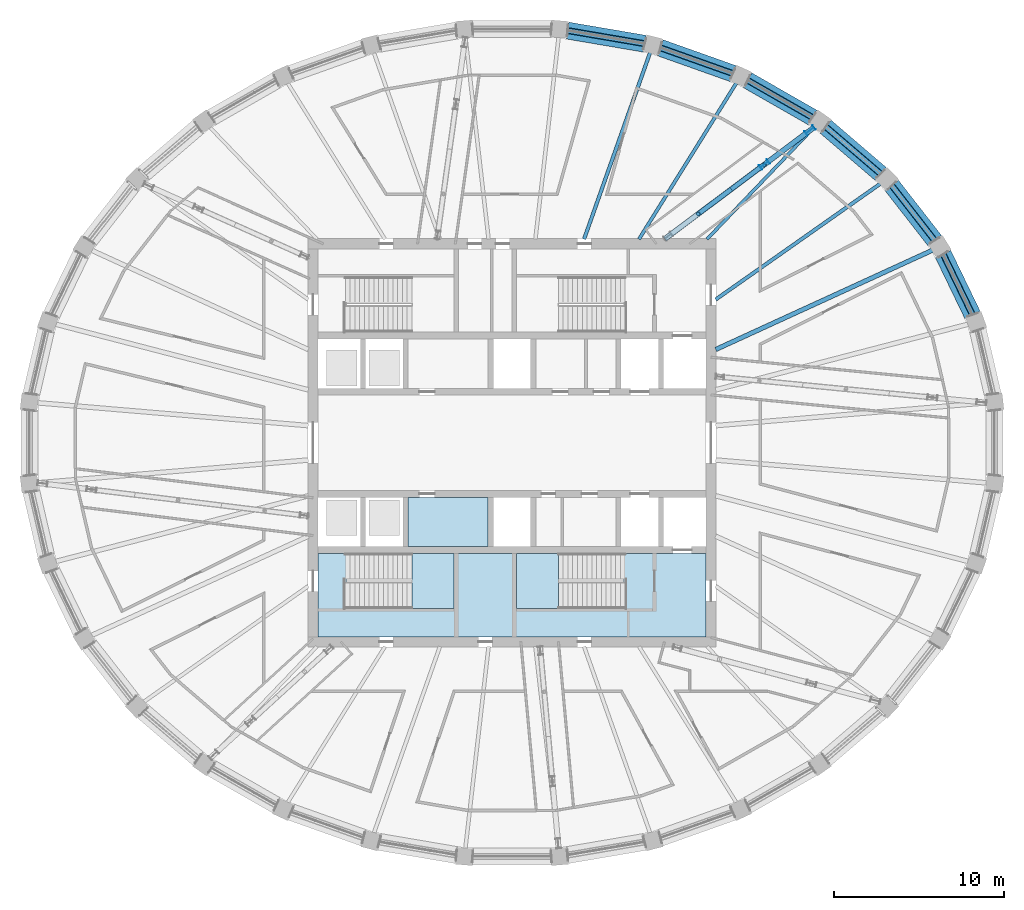
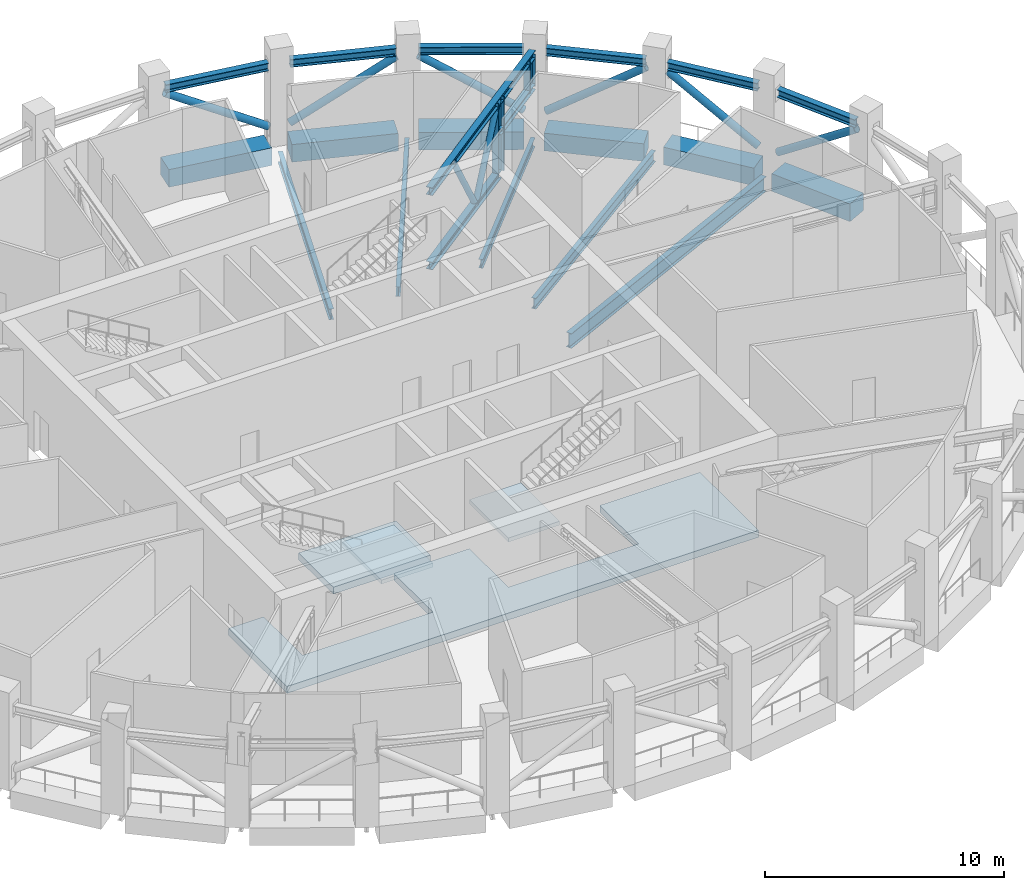
# One storey, part 6 of 20: 19 members, 11 beams, 4 slabs, 2 elements without a shape of their own.
"""IFC4 building model written with IfcOpenShell, lengths in metres."""

from ifc_helpers import new_model, si_unit, direction, frame, origin, origin_2d, place, context, subcontext, project, spatial, polyline, rectangle, hollow_circle, i_section, outline, extrude, material, layer, layer_set, material_profile, profile_set, type_object, element, aggregate, save


model = new_model("IFC4")

# Units and contexts
model_context = context("Model", 3, precision=1e-05, world=origin(), true_north=direction((0.0, 1.0)))
body_context = subcontext(model_context, "Body", "Model", "MODEL_VIEW")
ifc_project = project(units=[si_unit("LENGTHUNIT", "METRE"), si_unit("AREAUNIT", "SQUARE_METRE"), si_unit("VOLUMEUNIT", "CUBIC_METRE"), si_unit("PLANEANGLEUNIT", "RADIAN"), si_unit("MASSUNIT", "GRAM", prefix="KILO")], contexts=[model_context])

# Site, building, storey
site_placement = place(None, origin())
site = spatial("IfcSite", under=ifc_project, at=site_placement, CompositionType="ELEMENT")
building_placement = place(site_placement, origin())
building = spatial("IfcBuilding", under=site, at=building_placement, Name="Halqa Exchange Tower", CompositionType="ELEMENT")
storey_placement = place(building_placement, frame((0.0, 0.0, 328.300048828125)))
storey = spatial("IfcBuildingStorey", under=building, at=storey_placement, Name="L77", CompositionType="ELEMENT", Elevation=328.300048828125)

# Members
ifc_material_1 = material(Name="Steel S355", Category="steel")
ifc_material_profile_1 = material_profile(ifc_material_1, i_section(OverallWidth=0.300048828125, OverallDepth=0.39990234375, WebThickness=0.013427734375, FlangeThickness=0.02392578125, FilletRadius=0.027099609375, at=origin_2d()), Name="HEB 400")
ifc_profile_set_1 = profile_set([ifc_material_profile_1], Name="Steel S355")
member_type_1 = type_object("IfcMemberType", Name="Belt truss chord HEB 400", PredefinedType="CHORD", material=ifc_profile_set_1)
member_1_placement = place(storey_placement, frame((27.066162109375, 7.51904296875, 3.89990234375), z_axis=(-0.435102095342, 0.900381122986, 0.0), x_axis=(-0.900381122986, -0.435102095342, 0.0)))
element("IfcMember", 1, at=member_1_placement, inside=storey, type_object=member_type_1, Name="Belt chord 2", PredefinedType="CHORD", context=body_context, shape_type="SweptSolid", body=[
    extrude(i_section(OverallWidth=0.300048828125, OverallDepth=0.39990234375, WebThickness=0.013427734375, FlangeThickness=0.02392578125, FilletRadius=0.027099609375, at=origin_2d()), origin(), (0.0, 0.0, 1.0), 3.96435546875),
])
member_2_placement = place(storey_placement, frame((24.843505859375, 11.889404296875, 3.89990234375), z_axis=(-0.614855529737, 0.78863976412, 0.0), x_axis=(-0.78863976412, -0.614855529737, 0.0)))
element("IfcMember", 2, at=member_2_placement, inside=storey, type_object=member_type_1, Name="Belt chord 3", PredefinedType="CHORD", context=body_context, shape_type="SweptSolid", body=[
    extrude(i_section(OverallWidth=0.300048828125, OverallDepth=0.39990234375, WebThickness=0.013427734375, FlangeThickness=0.02392578125, FilletRadius=0.027099609375, at=origin_2d()), origin(), (0.0, 0.0, 1.0), 4.099365234375),
])
member_3_placement = place(storey_placement, frame((21.67041015625, 15.806396484375, 3.89990234375), z_axis=(-0.75928090671, 0.650763017315, 0.0), x_axis=(-0.650763017315, -0.75928090671, 0.0)))
element("IfcMember", 3, at=member_3_placement, inside=storey, type_object=member_type_1, Name="Belt chord 4", PredefinedType="CHORD", context=body_context, shape_type="SweptSolid", body=[
    extrude(i_section(OverallWidth=0.300048828125, OverallDepth=0.39990234375, WebThickness=0.013427734375, FlangeThickness=0.02392578125, FilletRadius=0.027099609375, at=origin_2d()), origin(), (0.0, 0.0, 1.0), 4.25439453125),
])
member_4_placement = place(storey_placement, frame((17.669189453125, 19.118896484375, 3.89990234375), z_axis=(-0.867758571209, 0.496985977764, 0.0), x_axis=(-0.496985977764, -0.867758571209, 0.0)))
element("IfcMember", 4, at=member_4_placement, inside=storey, type_object=member_type_1, Name="Belt chord 5", PredefinedType="CHORD", context=body_context, shape_type="SweptSolid", body=[
    extrude(i_section(OverallWidth=0.300048828125, OverallDepth=0.39990234375, WebThickness=0.013427734375, FlangeThickness=0.02392578125, FilletRadius=0.027099609375, at=origin_2d()), origin(), (0.0, 0.0, 1.0), 4.406494140625),
])
member_5_placement = place(storey_placement, frame((12.9873046875, 21.702880859375, 3.89990234375), z_axis=(-0.942357563156, 0.334607565908, 0.0), x_axis=(-0.334607565908, -0.942357563156, 0.0)))
element("IfcMember", 5, at=member_5_placement, inside=storey, type_object=member_type_1, Name="Belt chord 6", PredefinedType="CHORD", context=body_context, shape_type="SweptSolid", body=[
    extrude(i_section(OverallWidth=0.300048828125, OverallDepth=0.39990234375, WebThickness=0.013427734375, FlangeThickness=0.02392578125, FilletRadius=0.027099609375, at=origin_2d()), origin(), (0.0, 0.0, 1.0), 4.528076171875),
])
member_6_placement = place(storey_placement, frame((7.8056640625, 23.456298828125, 3.89990234375), z_axis=(-0.985773042695, 0.168081849987, 0.0), x_axis=(-0.168081849987, -0.985773042695, 0.0)))
element("IfcMember", 6, at=member_6_placement, inside=storey, type_object=member_type_1, Name="Belt chord 7", PredefinedType="CHORD", context=body_context, shape_type="SweptSolid", body=[
    extrude(i_section(OverallWidth=0.300048828125, OverallDepth=0.39990234375, WebThickness=0.013427734375, FlangeThickness=0.02392578125, FilletRadius=0.027099609375, at=origin_2d()), origin(), (0.0, 0.0, 1.0), 4.6103515625),
])
ifc_material_profile_2 = material_profile(ifc_material_1, hollow_circle(Radius=0.177734375, WallThickness=0.02001953125, at=origin_2d()), Name="CHS 355.6x20")
ifc_profile_set_2 = profile_set([ifc_material_profile_2], Name="Steel S355")
member_type_2 = type_object("IfcMemberType", Name="Belt truss diagonal CHS 355.6x20", PredefinedType="BRACE", material=ifc_profile_set_2)
member_7_placement = place(storey_placement, frame((27.06640625, 7.518310546875, 3.57177734375), z_axis=(-0.357783030939, 0.740434616264, -0.568988472475), x_axis=(-0.900393591265, -0.435076293091, 0.0)))
element("IfcMember", 7, at=member_7_placement, inside=storey, type_object=member_type_2, Name="Belt diagonal 2", PredefinedType="BRACE", context=body_context, shape_type="SweptSolid", body=[
    extrude(hollow_circle(Radius=0.177734375, WallThickness=0.02001953125, at=origin_2d()), origin(), (0.0, 0.0, 1.0), 4.8203125),
])
member_8_placement = place(storey_placement, frame((24.8427734375, 11.89013671875, 0.81982421875), z_axis=(-0.50993340575, 0.654174958089, 0.558590230768), x_axis=(-0.788691154444, -0.614789608648, 0.0)))
element("IfcMember", 8, at=member_8_placement, inside=storey, type_object=member_type_2, Name="Belt diagonal 3", PredefinedType="BRACE", context=body_context, shape_type="SweptSolid", body=[
    extrude(hollow_circle(Radius=0.177734375, WallThickness=0.02001953125, at=origin_2d()), origin(), (0.0, 0.0, 1.0), 4.9423828125),
])
member_9_placement = place(storey_placement, frame((21.67138671875, 15.805419921875, 3.590576171875), z_axis=(-0.635586053548, 0.544801769902, -0.547011334477), x_axis=(-0.650800824184, -0.75924850164, 0.0)))
element("IfcMember", 9, at=member_9_placement, inside=storey, type_object=member_type_2, Name="Belt diagonal 4", PredefinedType="BRACE", context=body_context, shape_type="SweptSolid", body=[
    extrude(hollow_circle(Radius=0.177734375, WallThickness=0.02001953125, at=origin_2d()), origin(), (0.0, 0.0, 1.0), 5.082763671875),
])
member_10_placement = place(storey_placement, frame((17.668701171875, 19.119384765625, 0.80126953125), z_axis=(-0.73252115506, 0.419499118497, 0.536128013603), x_axis=(-0.49695638513, -0.867775518944, 0.0)))
element("IfcMember", 10, at=member_10_placement, inside=storey, type_object=member_type_2, Name="Belt diagonal 5", PredefinedType="BRACE", context=body_context, shape_type="SweptSolid", body=[
    extrude(hollow_circle(Radius=0.177734375, WallThickness=0.02001953125, at=origin_2d()), origin(), (0.0, 0.0, 1.0), 5.218505859375),
])
member_11_placement = place(storey_placement, frame((12.98876953125, 21.702392578125, 3.606201171875), z_axis=(-0.80064623443, 0.284277479463, -0.527401101594), x_axis=(-0.33459508249, -0.942361995612, 0.0)))
element("IfcMember", 11, at=member_11_placement, inside=storey, type_object=member_type_2, Name="Belt diagonal 6", PredefinedType="BRACE", context=body_context, shape_type="SweptSolid", body=[
    extrude(hollow_circle(Radius=0.177734375, WallThickness=0.02001953125, at=origin_2d()), origin(), (0.0, 0.0, 1.0), 5.333251953125),
])
member_12_placement = place(storey_placement, frame((7.80517578125, 23.45654296875, 0.790283203125), z_axis=(-0.840929853299, 0.14336290697, 0.521808450234), x_axis=(-0.16805670886, -0.98577732912, 0.0)))
element("IfcMember", 12, at=member_12_placement, inside=storey, type_object=member_type_2, Name="Belt diagonal 7", PredefinedType="BRACE", context=body_context, shape_type="SweptSolid", body=[
    extrude(hollow_circle(Radius=0.177734375, WallThickness=0.02001953125, at=origin_2d()), origin(), (0.0, 0.0, 1.0), 5.403564453125),
])

# Beams
ifc_material_profile_3 = material_profile(ifc_material_1, i_section(OverallWidth=0.18994140625, OverallDepth=0.449951171875, WebThickness=0.009521484375, FlangeThickness=0.0146484375, FilletRadius=0.02099609375, at=origin_2d()), Name="IPE 450")
ifc_profile_set_3 = profile_set([ifc_material_profile_3], Name="Steel S355")
beam_type_1 = type_object("IfcBeamType", Name="Floor beam IPE 450", PredefinedType="BEAM", material=ifc_profile_set_3)
beam_1_placement = place(storey_placement, frame((11.462890625, 11.97216796875, -0.574951171875), z_axis=(0.6915759213, 0.722303776175, 0.0), x_axis=(-0.722303776175, 0.6915759213, 0.0)))
element("IfcBeam", 13, at=beam_1_placement, inside=storey, type_object=beam_type_1, Name="Radial beam 5", PredefinedType="BEAM", context=body_context, shape_type="SweptSolid", body=[
    extrude(i_section(OverallWidth=0.18994140625, OverallDepth=0.449951171875, WebThickness=0.009521484375, FlangeThickness=0.0146484375, FilletRadius=0.02099609375, at=origin_2d()), origin(), (0.0, 0.0, 1.0), 9.192626953125),
])
ifc_material_profile_4 = material_profile(ifc_material_1, i_section(OverallWidth=0.199951171875, OverallDepth=0.5, WebThickness=0.01025390625, FlangeThickness=0.01611328125, FilletRadius=0.02099609375, at=origin_2d()), Name="IPE 500")
ifc_profile_set_4 = profile_set([ifc_material_profile_4], Name="Steel S355")
beam_type_2 = type_object("IfcBeamType", Name="Floor beam IPE 500", PredefinedType="BEAM", material=ifc_profile_set_4)
beam_2_placement = place(storey_placement, frame((7.4658203125, 11.97216796875, -0.60009765625), z_axis=(0.529137326003, 0.848536204431, 0.0), x_axis=(-0.848536204431, 0.529137326003, 0.0)))
element("IfcBeam", 14, at=beam_2_placement, inside=storey, type_object=beam_type_2, Name="Radial beam 6", PredefinedType="BEAM", context=body_context, shape_type="SweptSolid", body=[
    extrude(i_section(OverallWidth=0.199951171875, OverallDepth=0.5, WebThickness=0.01025390625, FlangeThickness=0.01611328125, FilletRadius=0.02099609375, at=origin_2d()), origin(), (0.0, 0.0, 1.0), 10.904541015625),
])
ifc_material_profile_5 = material_profile(ifc_material_1, i_section(OverallWidth=0.2099609375, OverallDepth=0.550048828125, WebThickness=0.010986328125, FlangeThickness=0.01708984375, FilletRadius=0.02392578125, at=origin_2d()), Name="IPE 550")
ifc_profile_set_5 = profile_set([ifc_material_profile_5], Name="Steel S355")
beam_type_3 = type_object("IfcBeamType", Name="Floor beam IPE 550", PredefinedType="BEAM", material=ifc_profile_set_5)
beam_3_placement = place(storey_placement, frame((11.97265625, 8.422119140625, -0.625), z_axis=(0.817914568296, 0.57533969007, 0.0), x_axis=(-0.57533969007, 0.817914568296, 0.0)))
element("IfcBeam", 15, at=beam_3_placement, inside=storey, type_object=beam_type_3, Name="Radial beam 4", PredefinedType="BEAM", context=body_context, shape_type="SweptSolid", body=[
    extrude(i_section(OverallWidth=0.2099609375, OverallDepth=0.550048828125, WebThickness=0.010986328125, FlangeThickness=0.01708984375, FilletRadius=0.02392578125, at=origin_2d()), origin(), (0.0, 0.0, 1.0), 11.92138671875),
])
beam_4_placement = place(storey_placement, frame((4.23681640625, 11.971923828125, -0.625), z_axis=(0.333622781905, 0.942706656067, 0.0), x_axis=(-0.942706656067, 0.333622781905, 0.0)))
element("IfcBeam", 16, at=beam_4_placement, inside=storey, type_object=beam_type_3, Name="Radial beam 7", PredefinedType="BEAM", context=body_context, shape_type="SweptSolid", body=[
    extrude(i_section(OverallWidth=0.2099609375, OverallDepth=0.550048828125, WebThickness=0.010986328125, FlangeThickness=0.01708984375, FilletRadius=0.02392578125, at=origin_2d()), origin(), (0.0, 0.0, 1.0), 11.723876953125),
])
ifc_material_profile_6 = material_profile(ifc_material_1, i_section(OverallWidth=0.264892578125, OverallDepth=0.7529296875, WebThickness=0.01318359375, FlangeThickness=0.01708984375, FilletRadius=0.01708984375, at=origin_2d()), Name="IPE 750x147")
ifc_profile_set_6 = profile_set([ifc_material_profile_6], Name="Steel S355")
beam_type_4 = type_object("IfcBeamType", Name="Floor beam IPE 750x147", PredefinedType="BEAM", material=ifc_profile_set_6)
beam_5_placement = place(storey_placement, frame((11.972412109375, 5.485107421875, -0.7265625), z_axis=(0.909126834486, 0.416519385884, 0.0), x_axis=(-0.416519385884, 0.909126834486, 0.0)))
element("IfcBeam", 17, at=beam_5_placement, inside=storey, type_object=beam_type_4, Name="Radial beam 3", PredefinedType="BEAM", context=body_context, shape_type="SweptSolid", body=[
    extrude(i_section(OverallWidth=0.264892578125, OverallDepth=0.7529296875, WebThickness=0.01318359375, FlangeThickness=0.01708984375, FilletRadius=0.01708984375, at=origin_2d()), origin(), (0.0, 0.0, 1.0), 14.10205078125),
])

# Members
ifc_material_profile_7 = material_profile(ifc_material_1, i_section(OverallWidth=0.300048828125, OverallDepth=0.39990234375, WebThickness=0.013427734375, FlangeThickness=0.02392578125, FilletRadius=0.027099609375, at=origin_2d()), Name="HEB 400")
ifc_profile_set_7 = profile_set([ifc_material_profile_7], Name="Steel S355")
member_type_3 = type_object("IfcMemberType", Name="Outrigger chord HEB 400", PredefinedType="CHORD", material=ifc_profile_set_7)
member_13_placement = place(storey_placement, frame((8.978515625, 11.98388671875, 0.199951171875), z_axis=(0.800996895934, 0.598668499843, 0.0), x_axis=(-0.598668499843, 0.800996895934, 0.0)))
element("IfcMember", 18, at=member_13_placement, inside=storey, type_object=member_type_3, Name="Outrigger 2 chord", PredefinedType="CHORD", context=body_context, shape_type="SweptSolid", body=[
    extrude(i_section(OverallWidth=0.300048828125, OverallDepth=0.39990234375, WebThickness=0.013427734375, FlangeThickness=0.02392578125, FilletRadius=0.027099609375, at=origin_2d()), origin(), (0.0, 0.0, 1.0), 7.3388671875),
])
member_14_placement = place(storey_placement, frame((8.978515625, 11.98388671875, 4.0), z_axis=(0.801001778301, 0.598661967356, 0.0), x_axis=(-0.598661967356, 0.801001778301, 0.0)))
element("IfcMember", 19, at=member_14_placement, inside=storey, type_object=member_type_3, Name="Outrigger 2 chord", PredefinedType="CHORD", context=body_context, shape_type="SweptSolid", body=[
    extrude(i_section(OverallWidth=0.300048828125, OverallDepth=0.39990234375, WebThickness=0.013427734375, FlangeThickness=0.02392578125, FilletRadius=0.027099609375, at=origin_2d()), origin(), (0.0, 0.0, 1.0), 10.95458984375),
])
ifc_material_profile_8 = material_profile(ifc_material_1, hollow_circle(Radius=0.136474609375, WallThickness=0.01611328125, at=origin_2d()), Name="CHS 273x16")
ifc_profile_set_8 = profile_set([ifc_material_profile_8], Name="Steel S355")
member_type_4 = type_object("IfcMemberType", Name="Outrigger diagonal CHS 273x16", PredefinedType="BRACE", material=ifc_profile_set_8)
for number, where, z_axis, x_axis, name in (
    (20, (10.945068359375, 13.453857421875, 4.0), (0.43135962261, 0.322328713983, -0.842634604157), (-0.598583532348, 0.801060393979, 0.0), "Outrigger 2 diagonal"),
    (21, (12.890380859375, 14.907470703125, 0.199951171875), (0.431308030673, 0.322384752436, 0.842639575426), (-0.598696248139, 0.80097615599, 0.0), "Outrigger 2 diagonal"),
):
    element("IfcMember", number, at=place(storey_placement, frame(where, z_axis=z_axis, x_axis=x_axis)), inside=storey, type_object=member_type_4, Name=name, PredefinedType="BRACE", context=body_context, shape_type="SweptSolid", body=[
        extrude(hollow_circle(Radius=0.136474609375, WallThickness=0.01611328125, at=origin_2d()), origin(), (0.0, 0.0, 1.0), 4.509765625),
    ])
ifc_material_profile_9 = material_profile(ifc_material_1, i_section(OverallWidth=0.300048828125, OverallDepth=0.300048828125, WebThickness=0.010986328125, FlangeThickness=0.01904296875, FilletRadius=0.027099609375, at=origin_2d()), Name="HEB 300")
ifc_profile_set_9 = profile_set([ifc_material_profile_9], Name="Steel S355")
member_type_5 = type_object("IfcMemberType", Name="Outrigger opening chord HEB 300", PredefinedType="CHORD", material=ifc_profile_set_9)
member_15_placement = place(storey_placement, frame((14.83544921875, 16.361328125, 2.349853515625), z_axis=(0.801004237463, 0.598658677016, 0.0), x_axis=(-0.598658677016, 0.801004237463, 0.0)))
element("IfcMember", 22, at=member_15_placement, inside=storey, type_object=member_type_5, Name="Outrigger 2 opening chord", PredefinedType="CHORD", context=body_context, shape_type="SweptSolid", body=[
    extrude(i_section(OverallWidth=0.300048828125, OverallDepth=0.300048828125, WebThickness=0.010986328125, FlangeThickness=0.01904296875, FilletRadius=0.027099609375, at=origin_2d()), origin(), (0.0, 0.0, 1.0), 3.642578125),
])
ifc_material_profile_10 = material_profile(ifc_material_1, i_section(OverallWidth=0.300048828125, OverallDepth=0.60009765625, WebThickness=0.015380859375, FlangeThickness=0.030029296875, FilletRadius=0.027099609375, at=origin_2d()), Name="HEB 600")
ifc_profile_set_10 = profile_set([ifc_material_profile_10], Name="Steel S355")
member_type_6 = type_object("IfcMemberType", Name="Outrigger post HEB 600", PredefinedType="POST", material=ifc_profile_set_10)
member_16_placement = place(storey_placement, frame((14.83544921875, 16.361328125, 0.199951171875), z_axis=(0.0, 0.0, 1.0), x_axis=(-0.598324600571, 0.801253812691, 0.0)))
element("IfcMember", 23, at=member_16_placement, inside=storey, type_object=member_type_6, Name="Outrigger 2 post", PredefinedType="POST", context=body_context, shape_type="SweptSolid", body=[
    extrude(i_section(OverallWidth=0.300048828125, OverallDepth=0.60009765625, WebThickness=0.015380859375, FlangeThickness=0.030029296875, FilletRadius=0.027099609375, at=origin_2d()), origin(), (0.0, 0.0, 1.0), 3.800048828125),
])
member_17_placement = place(storey_placement, frame((17.5126953125, 18.3623046875, 2.349853515625), z_axis=(0.0, 0.0, 1.0), x_axis=(-0.598324600571, 0.801253812691, 0.0)))
element("IfcMember", 24, at=member_17_placement, inside=storey, type_object=member_type_6, Name="Outrigger 2 post", PredefinedType="POST", context=body_context, shape_type="SweptSolid", body=[
    extrude(i_section(OverallWidth=0.300048828125, OverallDepth=0.60009765625, WebThickness=0.015380859375, FlangeThickness=0.030029296875, FilletRadius=0.027099609375, at=origin_2d()), origin(), (0.0, 0.0, 1.0), 1.650146484375),
])

# Beams
ifc_material_2 = material(Name="Concrete C60/75", Category="concrete")
ifc_material_profile_11 = material_profile(ifc_material_2, rectangle(XDim=1.0, YDim=0.89990234375, at=origin_2d()), Name="1000 x 900")
ifc_profile_set_11 = profile_set([ifc_material_profile_11], Name="Concrete C60/75")
beam_type_5 = type_object("IfcBeamType", Name="RC spandrel beam 1000 x 900 C60/75", PredefinedType="SPANDREL", material=ifc_profile_set_11)
beam_6_placement = place(storey_placement, frame((27.06591796875, 7.519287109375, -0.449951171875), z_axis=(-0.43505216676, 0.900405248873, 0.0), x_axis=(-0.900405248873, -0.43505216676, 0.0)))
element("IfcBeam", 25, at=beam_6_placement, inside=storey, type_object=beam_type_5, Name="Spandrel 2", PredefinedType="SPANDREL", context=body_context, shape_type="SweptSolid", body=[
    extrude(rectangle(XDim=1.0, YDim=0.89990234375, at=origin_2d()), origin(), (0.0, 0.0, 1.0), 3.964111328125),
])
beam_7_placement = place(storey_placement, frame((24.8427734375, 11.89013671875, -0.449951171875), z_axis=(-0.61480594236, 0.788678421943, 0.0), x_axis=(-0.788678421943, -0.61480594236, 0.0)))
element("IfcBeam", 26, at=beam_7_placement, inside=storey, type_object=beam_type_5, Name="Spandrel 3", PredefinedType="SPANDREL", context=body_context, shape_type="SweptSolid", body=[
    extrude(rectangle(XDim=1.0, YDim=0.89990234375, at=origin_2d()), origin(), (0.0, 0.0, 1.0), 4.10009765625),
])
beam_8_placement = place(storey_placement, frame((21.670654296875, 15.805908203125, -0.449951171875), z_axis=(-0.759232294843, 0.65081973116, 0.0), x_axis=(-0.65081973116, -0.759232294843, 0.0)))
element("IfcBeam", 27, at=beam_8_placement, inside=storey, type_object=beam_type_5, Name="Spandrel 4", PredefinedType="SPANDREL", context=body_context, shape_type="SweptSolid", body=[
    extrude(rectangle(XDim=1.0, YDim=0.89990234375, at=origin_2d()), origin(), (0.0, 0.0, 1.0), 4.25390625),
])
beam_9_placement = place(storey_placement, frame((17.669189453125, 19.119140625, -0.449951171875), z_axis=(-0.86778573249, 0.49693855001, 0.0), x_axis=(-0.49693855001, -0.86778573249, 0.0)))
element("IfcBeam", 28, at=beam_9_placement, inside=storey, type_object=beam_type_5, Name="Spandrel 5", PredefinedType="SPANDREL", context=body_context, shape_type="SweptSolid", body=[
    extrude(rectangle(XDim=1.0, YDim=0.89990234375, at=origin_2d()), origin(), (0.0, 0.0, 1.0), 4.40478515625),
])
beam_10_placement = place(storey_placement, frame((12.98828125, 21.70263671875, -0.449951171875), z_axis=(-0.94236088808, 0.334598201755, 0.0), x_axis=(-0.334598201755, -0.94236088808, 0.0)))
element("IfcBeam", 29, at=beam_10_placement, inside=storey, type_object=beam_type_5, Name="Spandrel 6", PredefinedType="SPANDREL", context=body_context, shape_type="SweptSolid", body=[
    extrude(rectangle(XDim=1.0, YDim=0.89990234375, at=origin_2d()), origin(), (0.0, 0.0, 1.0), 4.530517578125),
])
beam_11_placement = place(storey_placement, frame((7.805419921875, 23.456298828125, -0.449951171875), z_axis=(-0.985773042695, 0.168081849987, 0.0), x_axis=(-0.168081849987, -0.985773042695, 0.0)))
element("IfcBeam", 30, at=beam_11_placement, inside=storey, type_object=beam_type_5, Name="Spandrel 7", PredefinedType="SPANDREL", context=body_context, shape_type="SweptSolid", body=[
    extrude(rectangle(XDim=1.0, YDim=0.89990234375, at=origin_2d()), origin(), (0.0, 0.0, 1.0), 4.6103515625),
])

# Slabs
ifc_layer_1 = layer(ifc_material_2, 0.35009765625)
ifc_layer_set_1 = layer_set([ifc_layer_1], Name="Concrete C60/75")
slab_type_1 = type_object("IfcSlabType", Name="Core floor slab 350", PredefinedType="FLOOR", material=ifc_layer_set_1)
slab_1_placement = place(storey_placement, frame((0.0, 0.0, -0.35009765625)))
element("IfcSlab", 31, at=slab_1_placement, inside=storey, type_object=slab_type_1, Name="Core floor slab", PredefinedType="FLOOR", context=body_context, shape_type="SweptSolid", body=[
    extrude(outline(polyline([(-11.39990234375, -6.5), (-9.699951171875, -6.5), (-9.699951171875, -9.75), (-3.39990234375, -9.75), (-3.39990234375, -6.5), (0.25, -6.5), (0.25, -9.75), (6.550048828125, -9.75), (6.550048828125, -6.5), (11.39990234375, -6.5), (11.39990234375, -11.39990234375), (-11.39990234375, -11.39990234375), (-11.39990234375, -6.5)])), origin(), (0.0, 0.0, 1.0), 0.35009765625),
])
slab_2_placement = place(storey_placement, frame((0.0, 0.0, -0.35009765625)))
element("IfcSlab", 32, at=slab_2_placement, inside=storey, type_object=slab_type_1, Name="Core floor slab", PredefinedType="FLOOR", context=body_context, shape_type="SweptSolid", body=[
    extrude(outline(polyline([(-1.39990234375, -3.199951171875), (-1.39990234375, -6.10009765625), (-6.10009765625, -6.10009765625), (-6.10009765625, -3.199951171875), (-1.39990234375, -3.199951171875)])), origin(), (0.0, 0.0, 1.0), 0.35009765625),
])

# Stair, slab
ifc_material_3 = material(Name="Concrete C30/37", Category="concrete")
stair_type = type_object("IfcStairType", Name="Exit stair 1500 wide", PredefinedType="HALF_TURN_STAIR", material=ifc_material_3)
stair_1_placement = place(storey_placement, origin())
stair_1 = element("IfcStair", 33, at=stair_1_placement, inside=storey, type_object=stair_type, Name="Exit stair ST3", PredefinedType="HALF_TURN_STAIR")
ifc_layer_2 = layer(ifc_material_3, 0.199951171875)
ifc_layer_set_2 = layer_set([ifc_layer_2], Name="Concrete C30/37")
slab_type_2 = type_object("IfcSlabType", Name="Stair landing 200 slab", PredefinedType="LANDING", material=ifc_layer_set_2)
slab_3_placement = place(storey_placement, frame((0.0, 0.0, 2.300048828125)))
slab_3 = element("IfcSlab", 34, at=slab_3_placement, type_object=slab_type_2, Name="ST3 landing 1", PredefinedType="LANDING", context=body_context, shape_type="SweptSolid", body=[
    extrude(outline(polyline([(-5.8798828125, -9.75), (-3.39990234375, -9.75), (-3.39990234375, -6.5), (-5.8798828125, -6.5), (-5.8798828125, -9.75)])), origin(), (0.0, 0.0, 1.0), 0.199951171875),
])
aggregate(stair_1, [slab_3])

stair_2_placement = place(storey_placement, origin())
stair_2 = element("IfcStair", 35, at=stair_2_placement, inside=storey, type_object=stair_type, Name="Exit stair ST4", PredefinedType="HALF_TURN_STAIR")
slab_4_placement = place(storey_placement, frame((0.0, 0.0, 2.300048828125)))
slab_4 = element("IfcSlab", 36, at=slab_4_placement, type_object=slab_type_2, Name="ST4 landing 1", PredefinedType="LANDING", context=body_context, shape_type="SweptSolid", body=[
    extrude(outline(polyline([(0.25, -9.75), (2.72998046875, -9.75), (2.72998046875, -6.5), (0.25, -6.5), (0.25, -9.75)])), origin(), (0.0, 0.0, 1.0), 0.199951171875),
])
aggregate(stair_2, [slab_4])

save(model, "model.ifc")
